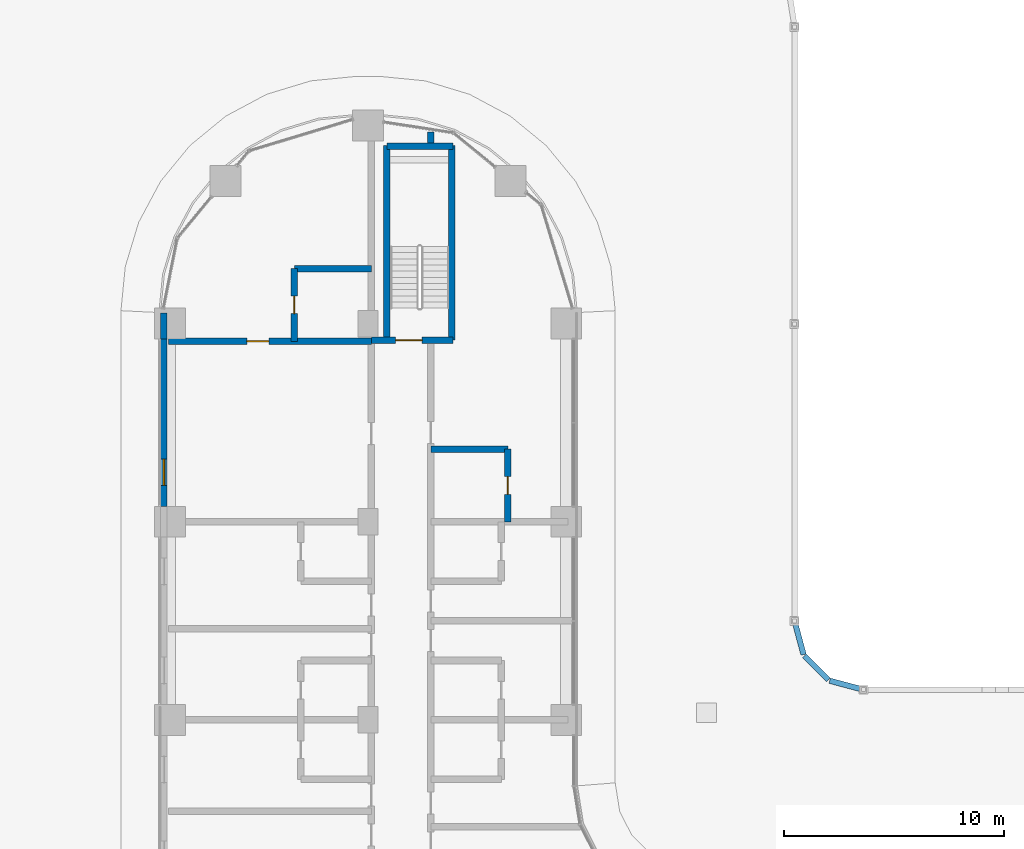
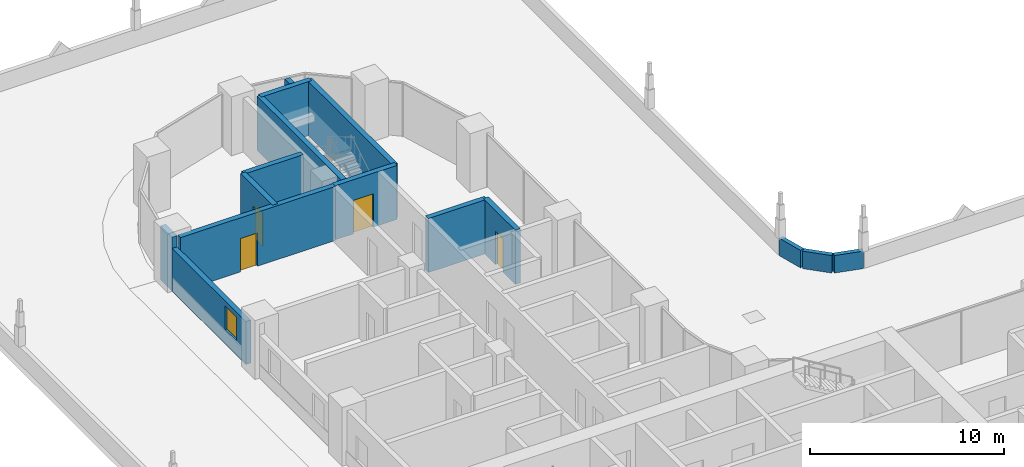
# One storey, part 27 of 51: 15 walls, 4 doors, 1 window, 5 openings.
"""IFC4 building model written with IfcOpenShell, lengths in metres."""

import ifcopenshell
import ifcopenshell.guid

model = None  # the IFC model being written
_history = None  # IfcOwnerHistory: only IFC2X3 demands one
_inside = {}  # id of a spatial element -> (the spatial element, [elements in it])
_under = {}  # id of a project, library or spatial element -> (it, [spatial elements below it])
_declared = {}  # id of a project -> (the project, [libraries it declares])
_typed = {}  # id of a type object -> (the type object, [elements of that type])
_made_of = {}  # id of a material, layer set ... -> (it, [elements and type objects made of it])


def new_model(schema):
    """Start an empty IFC model of exactly this schema.

    Asked for "IFC4X3", IfcOpenShell would pick the latest addendum, in which some entities
    have other attributes; the version numbers below select the first issue.
    IFC2X3 requires an IfcOwnerHistory on every rooted entity: one is made here for all.
    """
    global model, _history
    if schema == "IFC4X3":
        model = ifcopenshell.file(schema_version=(4, 3, 0, 0))
    else:
        model = ifcopenshell.file(schema=schema)
    _inside.clear()
    _under.clear()
    _declared.clear()
    _typed.clear()
    _made_of.clear()
    _history = None
    if model.schema == "IFC2X3":
        org = make("IfcOrganization", Name="unknown")
        user = make(
            "IfcPersonAndOrganization",
            ThePerson=make("IfcPerson", FamilyName="unknown"),
            TheOrganization=org,
        )
        app = make(
            "IfcApplication",
            ApplicationDeveloper=org,
            Version="unknown",
            ApplicationFullName="unknown",
            ApplicationIdentifier="unknown",
        )
        _history = make(
            "IfcOwnerHistory",
            OwningUser=user,
            OwningApplication=app,
            ChangeAction="ADDED",
            CreationDate=0,
        )
    return model


def make(cls, **values):
    """One entity of the class cls with the attributes given. An attribute that is None is left unset."""
    return model.create_entity(
        cls, **{name: value for name, value in values.items() if value is not None}
    )


def rooted(cls, **values):
    """An entity with a GlobalId (a new one), such as an element, a storey or a relation."""
    return make(cls, GlobalId=ifcopenshell.guid.new(), OwnerHistory=_history, **values)


def si_unit(unit_type, name, prefix=None):
    """IfcSIUnit, for example si_unit("LENGTHUNIT", "METRE", prefix="MILLI")."""
    return make("IfcSIUnit", UnitType=unit_type, Prefix=prefix, Name=name)


def assignment(units):
    """IfcUnitAssignment: the units of a project."""
    return None if units is None else make("IfcUnitAssignment", Units=units)


def point(xyz):
    """IfcCartesianPoint."""
    return None if xyz is None else make("IfcCartesianPoint", Coordinates=xyz)


def direction(xyz):
    """IfcDirection."""
    return None if xyz is None else make("IfcDirection", DirectionRatios=xyz)


def frame(location, z_axis=None, x_axis=None):
    """IfcAxis2Placement3D, a coordinate frame: its origin and axes. An axis left out is left unset."""
    return make(
        "IfcAxis2Placement3D",
        Location=point(location),
        Axis=direction(z_axis),
        RefDirection=direction(x_axis),
    )


def frame_2d(location, x_axis=None):
    """IfcAxis2Placement2D, a coordinate frame in the plane: its origin and x axis."""
    return make(
        "IfcAxis2Placement2D", Location=point(location), RefDirection=direction(x_axis)
    )


def origin():
    """The frame at (0, 0, 0) with its axes left unset."""
    return frame((0.0, 0.0, 0.0))


def place(relative_to, where):
    """IfcLocalPlacement: puts the frame where relative to a parent placement (None: the world)."""
    return make(
        "IfcLocalPlacement", PlacementRelTo=relative_to, RelativePlacement=where
    )


def context(
    kind, dimensions, precision=None, world=None, true_north=None, identifier=None
):
    """IfcGeometricRepresentationContext, for example the 3D "Model" context."""
    return make(
        "IfcGeometricRepresentationContext",
        ContextIdentifier=identifier,
        ContextType=kind,
        CoordinateSpaceDimension=dimensions,
        Precision=precision,
        WorldCoordinateSystem=world,
        TrueNorth=true_north,
    )


def subcontext(parent, identifier, kind, view, scale=None):
    """IfcGeometricRepresentationSubContext, for example "Body" below "Model"."""
    return make(
        "IfcGeometricRepresentationSubContext",
        ContextIdentifier=identifier,
        ContextType=kind,
        ParentContext=parent,
        TargetScale=scale,
        TargetView=view,
    )


def project(units=None, contexts=None):
    """IfcProject with its units and contexts."""
    return rooted(
        "IfcProject",
        Name="project",
        RepresentationContexts=contexts,
        UnitsInContext=assignment(units),
    )


def spatial(cls, under=None, at=None, **own):
    """A site, building, storey or space (cls), placed at a placement, below another one or the project."""
    s = rooted(cls, ObjectPlacement=at, **own)
    if under is not None:
        _under.setdefault(under.id(), (under, []))[1].append(s)
    return s


def profile(cls, at=None, kind="AREA", **sizes):
    """A parametric profile (cls). Its sizes go by their IFC names, for example OverallWidth=200.0."""
    return make(cls, ProfileType=kind, Position=at, **sizes)


def rectangle(**sizes):
    """IfcRectangleProfileDef."""
    return profile("IfcRectangleProfileDef", **sizes)


def extrude(swept, where, along, depth):
    """IfcExtrudedAreaSolid: the profile swept, set in the frame where, extruded along a direction by depth."""
    return make(
        "IfcExtrudedAreaSolid",
        SweptArea=swept,
        Position=where,
        ExtrudedDirection=direction(along),
        Depth=depth,
    )


def shape(context_of_items, identifier, shape_type, items):
    """IfcShapeRepresentation: the items that make up one representation, for example the "Body"."""
    return make(
        "IfcShapeRepresentation",
        ContextOfItems=context_of_items,
        RepresentationIdentifier=identifier,
        RepresentationType=shape_type,
        Items=items,
    )


def material(Name=None, Category=None):
    """IfcMaterial."""
    return make("IfcMaterial", Name=Name, Category=Category)


def layer(
    of_material, thickness, ventilated=None, Name=None, Category=None, Priority=None
):
    """IfcMaterialLayer: one layer of a wall or slab, of a material (None: an air gap)."""
    return make(
        "IfcMaterialLayer",
        Material=of_material,
        LayerThickness=thickness,
        IsVentilated=ventilated,
        Name=Name,
        Category=Category,
        Priority=Priority,
    )


def layer_set(layers, Name=None):
    """IfcMaterialLayerSet."""
    return make("IfcMaterialLayerSet", MaterialLayers=layers, LayerSetName=Name)


def made_of(thing, what):
    """Note that an element or type object is made of a material, layer set ...; save() writes the relation."""
    if what is not None:
        _made_of.setdefault(what.id(), (what, []))[1].append(thing)
    return thing


def type_object(cls, material=None, **own):
    """A type object (cls), such as IfcWallType, which elements share."""
    return made_of(rooted(cls, **own), material)


def element(
    cls,
    number,
    at=None,
    inside=None,
    cuts=None,
    type_object=None,
    material=None,
    context=None,
    identifier="Body",
    shape_type=None,
    held_by="IfcProductDefinitionShape",
    body=None,
    shapes=None,
    **own,
):
    """One element of the class cls, such as IfcWall. Its Tag is "e" and its number.

    at: its placement. inside: the storey or other place that contains it. cuts: it is an
    opening in that element (IfcRelVoidsElement). A single representation is given by context,
    identifier, shape_type and body (its items); several are given by shapes. held_by: the class
    of the entity that holds the representations. save() writes the other relations.
    """
    e = rooted(cls, Tag="e%d" % number, ObjectPlacement=at, **own)
    if body is not None:
        shapes = [shape(context, identifier, shape_type, body)]
    if shapes is not None:
        e.Representation = make(held_by, Representations=shapes)
    if inside is not None:
        _inside.setdefault(inside.id(), (inside, []))[1].append(e)
    if cuts is not None:
        rooted(
            "IfcRelVoidsElement", RelatingBuildingElement=cuts, RelatedOpeningElement=e
        )
    if type_object is not None:
        _typed.setdefault(type_object.id(), (type_object, []))[1].append(e)
    return made_of(e, material)


def fill(opening, filler):
    """IfcRelFillsElement: the door or window that sits in an opening."""
    return rooted(
        "IfcRelFillsElement",
        RelatingOpeningElement=opening,
        RelatedBuildingElement=filler,
    )


def aggregate(whole, parts):
    """IfcRelAggregates: a whole, such as a stair, and the parts it consists of."""
    return rooted("IfcRelAggregates", RelatingObject=whole, RelatedObjects=parts)


def save(model, path):
    """Write the relations noted so far, then the file.

    IfcRelAggregates (storeys below a building ...), IfcRelContainedInSpatialStructure (elements
    in a storey), IfcRelDefinesByType, IfcRelAssociatesMaterial and IfcRelDeclares: one each for
    every whole, place, type object, material and project.
    """
    for whole, parts in _under.values():
        aggregate(whole, parts)
    for where, things in _inside.values():
        rooted(
            "IfcRelContainedInSpatialStructure",
            RelatedElements=things,
            RelatingStructure=where,
        )
    for kind, things in _typed.values():
        rooted("IfcRelDefinesByType", RelatedObjects=things, RelatingType=kind)
    for what, things in _made_of.values():
        rooted("IfcRelAssociatesMaterial", RelatedObjects=things, RelatingMaterial=what)
    for by, libraries in _declared.values():
        rooted("IfcRelDeclares", RelatingContext=by, RelatedDefinitions=libraries)
    model.write(path)


model = new_model("IFC4")

# Units and contexts
model_context = context("Model", 3, precision=1e-05, world=origin(), true_north=direction((0.0, 1.0)))
body_context = subcontext(model_context, "Body", "Model", "MODEL_VIEW")
ifc_project = project(units=[si_unit("LENGTHUNIT", "METRE"), si_unit("AREAUNIT", "SQUARE_METRE"), si_unit("VOLUMEUNIT", "CUBIC_METRE"), si_unit("PLANEANGLEUNIT", "RADIAN"), si_unit("MASSUNIT", "GRAM", prefix="KILO")], contexts=[model_context])

# Site, building, storey
site_placement = place(None, origin())
site = spatial("IfcSite", under=ifc_project, at=site_placement, CompositionType="ELEMENT")
building_placement = place(site_placement, origin())
building = spatial("IfcBuilding", under=site, at=building_placement, Name="Ogive Portal Towers", CompositionType="ELEMENT")
storey_placement = place(building_placement, frame((0.0, 0.0, 33.5)))
storey = spatial("IfcBuildingStorey", under=building, at=storey_placement, Name="L06", CompositionType="ELEMENT", Elevation=33.5)

# Wall
ifc_material_1 = material(Name="Limestone cladding on lightweight block wall", Category="masonry")
ifc_layer_1 = layer(ifc_material_1, 0.300048828125)
ifc_layer_set_1 = layer_set([ifc_layer_1], Name="EXTERNAL WALL 300 STONE")
wall_type_1 = type_object("IfcWallType", Name="EXTERNAL WALL 300 STONE", PredefinedType="SOLIDWALL", material=ifc_layer_set_1)
wall_1_placement = place(storey_placement, frame((31.22509765625, 66.9921875, 0.0), z_axis=(0.0, 0.0, 1.0), x_axis=(0.0, -1.0, 0.0)))
element("IfcWall", 1, at=wall_1_placement, inside=storey, type_object=wall_type_1, Name="A:L06:f13:r0:wall", PredefinedType="SOLIDWALL", context=body_context, shape_type="SweptSolid", body=[
    extrude(rectangle(XDim=1.192138671875, YDim=0.300048828125, at=frame_2d((0.59619140625, 0.0))), origin(), (0.0, 0.0, 1.0), 3.39990234375),
])

# Wall, opening, window
wall_2_placement = place(storey_placement, frame((31.22509765625, 65.800048828125, 0.0), z_axis=(0.0, 0.0, 1.0), x_axis=(0.0, -1.0, 0.0)))
wall_2 = element("IfcWall", 2, at=wall_2_placement, inside=storey, type_object=wall_type_1, Name="A:L06:f13:r0:wall1", PredefinedType="SOLIDWALL", context=body_context, shape_type="SweptSolid", body=[
    extrude(rectangle(XDim=7.60009765625, YDim=0.300048828125, at=frame_2d((3.800048828125, 0.0))), origin(), (0.0, 0.0, 1.0), 2.699951171875),
])
opening_1_placement = place(wall_2_placement, frame((5.449951171875, 0.0, 0.89990234375)))
opening_1 = element("IfcOpeningElement", 3, at=opening_1_placement, cuts=wall_2, Name="Opening WN9", PredefinedType="OPENING", context=body_context, shape_type="SweptSolid", body=[
    extrude(rectangle(XDim=1.199951171875, YDim=1.5, at=frame_2d((0.60009765625, 0.75))), frame((0.0, 0.16015625, 0.0), z_axis=(0.0, -1.0, 0.0), x_axis=(1.0, 0.0, 0.0)), (0.0, 0.0, 1.0), 0.320068359375),
])
ifc_material_2 = material(Name="Glass, clear low-iron insulated glazing", Category="glass")
window_type = type_object("IfcWindowType", Name="WINDOW HOTEL CASEMENT 1200x1500", PartitioningType="DOUBLE_PANEL_VERTICAL", PredefinedType="WINDOW", material=ifc_material_2)
window_placement = place(opening_1_placement, origin())
window = element("IfcWindow", 4, at=window_placement, inside=storey, type_object=window_type, Name="A:L06:f13:r0:w1", OverallHeight=1.5, OverallWidth=1.199951171875, PartitioningType="SINGLE_PANEL", PredefinedType="WINDOW", context=body_context, shape_type="SweptSolid", body=[
    extrude(rectangle(XDim=1.199951171875, YDim=1.5, at=frame_2d((0.60009765625, 0.75))), frame((0.0, 0.030029296875, 0.0), z_axis=(0.0, -1.0, 0.0), x_axis=(1.0, 0.0, 0.0)), (0.0, 0.0, 1.0), 0.06005859375),
])
fill(opening_1, window)

# Walls
ifc_layer_2 = layer(ifc_material_1, 0.25)
ifc_layer_set_2 = layer_set([ifc_layer_2], Name="PARAPET 250 STONE")
wall_type_2 = type_object("IfcWallType", Name="PARAPET 250 STONE", PredefinedType="PARAPET", material=ifc_layer_set_2)
for number, where, z_axis, x_axis, name in (
    (5, (62.967529296875, 49.879150390625, 0.0), (0.0, 0.0, 1.0), (-0.965897516379, 0.258924676022, 0.0), "A:L06:proof0:para19"),
    (6, (61.41162109375, 50.3134765625, 0.0), (0.0, 0.0, 1.0), (-0.707106781187, 0.707106781187, 0.0), "A:L06:proof0:para20"),
    (7, (60.28125, 51.467529296875, 0.0), (0.0, 0.0, 1.0), (-0.258924676022, 0.965897516379, 0.0), "A:L06:proof0:para21"),
):
    element("IfcWall", number, at=place(storey_placement, frame(where, z_axis=z_axis, x_axis=x_axis)), inside=storey, type_object=wall_type_2, Name=name, PredefinedType="PARAPET", context=body_context, shape_type="SweptSolid", body=[
        extrude(rectangle(XDim=1.552978515625, YDim=0.25, at=frame_2d((0.7763671875, 0.0))), origin(), (0.0, 0.0, 1.0), 1.10009765625),
    ])

# Wall, opening, door
ifc_material_3 = material(Name="Concrete C50/60", Category="concrete")
ifc_layer_3 = layer(ifc_material_3, 0.300048828125)
ifc_layer_set_3 = layer_set([ifc_layer_3], Name="STAIR WALL 300 C50")
wall_type_3 = type_object("IfcWallType", Name="STAIR WALL 300 C50", PredefinedType="SHEAR", material=ifc_layer_set_3)
wall_3_placement = place(storey_placement, frame((40.64990234375, 65.75, 0.0), z_axis=(0.0, 0.0, 1.0), x_axis=(1.0, 0.0, 0.0)))
wall_3 = element("IfcWall", 8, at=wall_3_placement, inside=storey, type_object=wall_type_3, Name="Stair wall ST-A3 L06", PredefinedType="SHEAR", context=body_context, shape_type="SweptSolid", body=[
    extrude(rectangle(XDim=3.7001953125, YDim=0.300048828125, at=frame_2d((1.85009765625, 0.0))), origin(), (0.0, 0.0, 1.0), 3.39990234375),
])
opening_2_placement = place(wall_3_placement, frame((1.10009765625, 0.0, 0.0)))
opening_2 = element("IfcOpeningElement", 9, at=opening_2_placement, cuts=wall_3, Name="Opening D01-071", PredefinedType="OPENING", context=body_context, shape_type="SweptSolid", body=[
    extrude(rectangle(XDim=1.199951171875, YDim=2.10009765625, at=frame_2d((0.60009765625, 1.050048828125))), frame((0.0, 0.16015625, 0.0), z_axis=(0.0, -1.0, 0.0), x_axis=(1.0, 0.0, 0.0)), (0.0, 0.0, 1.0), 0.320068359375),
])
ifc_material_4 = material(Name="Steel fire door", Category="steel")
door_type_1 = type_object("IfcDoorType", Name="DT-STAIR-1200x2100-FD90S", OperationType="SINGLE_SWING_LEFT", PredefinedType="DOOR", material=ifc_material_4)
door_1_placement = place(opening_2_placement, origin())
door_1 = element("IfcDoor", 10, at=door_1_placement, inside=storey, type_object=door_type_1, Name="Door D01-071", OperationType="SINGLE_SWING_RIGHT", OverallHeight=2.10009765625, OverallWidth=1.199951171875, PredefinedType="DOOR", context=body_context, shape_type="SweptSolid", body=[
    extrude(rectangle(XDim=1.199951171875, YDim=2.10009765625, at=frame_2d((0.60009765625, 1.050048828125))), frame((0.0, 0.02490234375, 0.0), z_axis=(0.0, -1.0, 0.0), x_axis=(1.0, 0.0, 0.0)), (0.0, 0.0, 1.0), 0.050048828125),
])
fill(opening_2, door_1)

# Walls
wall_4_placement = place(storey_placement, frame((41.35009765625, 74.550048828125, 0.0), z_axis=(0.0, 0.0, 1.0), x_axis=(1.0, 0.0, 0.0)))
element("IfcWall", 11, at=wall_4_placement, inside=storey, type_object=wall_type_3, Name="Stair wall ST-A3 L06", PredefinedType="SHEAR", context=body_context, shape_type="SweptSolid", body=[
    extrude(rectangle(XDim=3.0, YDim=0.300048828125, at=frame_2d((1.5, 0.0))), origin(), (0.0, 0.0, 1.0), 3.39990234375),
])
for number, where, z_axis, x_axis, name in (
    (12, (41.35009765625, 65.75, 0.0), (0.0, 0.0, 1.0), (0.0, 1.0, 0.0), "Stair wall ST-A3 L06"),
    (13, (44.300048828125, 65.75, 0.0), (0.0, 0.0, 1.0), (0.0, 1.0, 0.0), "Stair wall ST-A3 L06"),
):
    element("IfcWall", number, at=place(storey_placement, frame(where, z_axis=z_axis, x_axis=x_axis)), inside=storey, type_object=wall_type_3, Name=name, PredefinedType="SHEAR", context=body_context, shape_type="SweptSolid", body=[
        extrude(rectangle(XDim=8.85009765625, YDim=0.300048828125, at=frame_2d((4.425048828125, 0.0))), origin(), (0.0, 0.0, 1.0), 3.39990234375),
    ])
ifc_material_5 = material(Name="Gypsum board partition on steel studs", Category="steel")
ifc_layer_4 = layer(ifc_material_5, 0.300048828125)
ifc_layer_set_4 = layer_set([ifc_layer_4], Name="WT-PART-300-EI 60")
wall_type_4 = type_object("IfcWallType", Name="WT-PART-300-EI 60", PredefinedType="PARTITIONING", material=ifc_layer_set_4)
wall_5_placement = place(storey_placement, frame((43.35009765625, 60.800048828125, 0.0), z_axis=(0.0, 0.0, 1.0), x_axis=(1.0, 0.0, 0.0)))
element("IfcWall", 14, at=wall_5_placement, inside=storey, type_object=wall_type_4, Name="Wall L06:w030", PredefinedType="PARTITIONING", context=body_context, shape_type="SweptSolid", body=[
    extrude(rectangle(XDim=3.5, YDim=0.300048828125, at=frame_2d((1.75, 0.0))), origin(), (0.0, 0.0, 1.0), 3.39990234375),
])

# Wall, opening, door
wall_6_placement = place(storey_placement, frame((31.425048828125, 65.699951171875, 0.0), z_axis=(0.0, 0.0, 1.0), x_axis=(1.0, 0.0, 0.0)))
wall_6 = element("IfcWall", 15, at=wall_6_placement, inside=storey, type_object=wall_type_4, Name="Wall L06:w031", PredefinedType="PARTITIONING", context=body_context, shape_type="SweptSolid", body=[
    extrude(rectangle(XDim=9.224853515625, YDim=0.300048828125, at=frame_2d((4.6123046875, 0.0))), origin(), (0.0, 0.0, 1.0), 3.39990234375),
])
opening_3_placement = place(wall_6_placement, frame((3.574951171875, 0.0, 0.0)))
opening_3 = element("IfcOpeningElement", 16, at=opening_3_placement, cuts=wall_6, Name="Opening D01-065", PredefinedType="OPENING", context=body_context, shape_type="SweptSolid", body=[
    extrude(rectangle(XDim=1.0, YDim=2.10009765625, at=frame_2d((0.5, 1.050048828125))), frame((0.0, 0.16015625, 0.0), z_axis=(0.0, -1.0, 0.0), x_axis=(1.0, 0.0, 0.0)), (0.0, 0.0, 1.0), 0.320068359375),
])
door_type_2 = type_object("IfcDoorType", Name="DT-ENTRY-1000x2100-FD60S", OperationType="SINGLE_SWING_LEFT", PredefinedType="DOOR", material=ifc_material_4)
door_2_placement = place(opening_3_placement, origin())
door_2 = element("IfcDoor", 17, at=door_2_placement, inside=storey, type_object=door_type_2, Name="Door D01-065", OperationType="SINGLE_SWING_RIGHT", OverallHeight=2.10009765625, OverallWidth=1.0, PredefinedType="DOOR", context=body_context, shape_type="SweptSolid", body=[
    extrude(rectangle(XDim=1.0, YDim=2.10009765625, at=frame_2d((0.5, 1.050048828125))), frame((0.0, 0.02490234375, 0.0), z_axis=(0.0, -1.0, 0.0), x_axis=(1.0, 0.0, 0.0)), (0.0, 0.0, 1.0), 0.050048828125),
])
fill(opening_3, door_2)

# Wall
wall_7_placement = place(storey_placement, frame((37.14990234375, 69.0, 0.0), z_axis=(0.0, 0.0, 1.0), x_axis=(1.0, 0.0, 0.0)))
element("IfcWall", 18, at=wall_7_placement, inside=storey, type_object=wall_type_4, Name="Wall L06:w033", PredefinedType="PARTITIONING", context=body_context, shape_type="SweptSolid", body=[
    extrude(rectangle(XDim=3.5, YDim=0.300048828125, at=frame_2d((1.75, 0.0))), origin(), (0.0, 0.0, 1.0), 3.39990234375),
])

# Wall, opening, door
wall_8_placement = place(storey_placement, frame((37.14990234375, 65.699951171875, 0.0), z_axis=(0.0, 0.0, 1.0), x_axis=(0.0, 1.0, 0.0)))
wall_8 = element("IfcWall", 19, at=wall_8_placement, inside=storey, type_object=wall_type_4, Name="Wall L06:w035", PredefinedType="PARTITIONING", context=body_context, shape_type="SweptSolid", body=[
    extrude(rectangle(XDim=3.300048828125, YDim=0.300048828125, at=frame_2d((1.64990234375, 0.0))), origin(), (0.0, 0.0, 1.0), 3.39990234375),
])
opening_4_placement = place(wall_8_placement, frame((1.25, 0.0, 0.0)))
opening_4 = element("IfcOpeningElement", 20, at=opening_4_placement, cuts=wall_8, Name="Opening D01-066", PredefinedType="OPENING", context=body_context, shape_type="SweptSolid", body=[
    extrude(rectangle(XDim=0.800048828125, YDim=2.10009765625, at=frame_2d((0.39990234375, 1.050048828125))), frame((0.0, 0.16015625, 0.0), z_axis=(0.0, -1.0, 0.0), x_axis=(1.0, 0.0, 0.0)), (0.0, 0.0, 1.0), 0.320068359375),
])
door_type_3 = type_object("IfcDoorType", Name="DT-BATH-800x2100-FD60S", OperationType="SINGLE_SWING_LEFT", PredefinedType="DOOR", material=ifc_material_4)
door_3_placement = place(opening_4_placement, origin())
door_3 = element("IfcDoor", 21, at=door_3_placement, inside=storey, type_object=door_type_3, Name="Door D01-066", OperationType="SINGLE_SWING_LEFT", OverallHeight=2.10009765625, OverallWidth=0.800048828125, PredefinedType="DOOR", context=body_context, shape_type="SweptSolid", body=[
    extrude(rectangle(XDim=0.800048828125, YDim=2.10009765625, at=frame_2d((0.39990234375, 1.050048828125))), frame((0.0, 0.02490234375, 0.0), z_axis=(0.0, -1.0, 0.0), x_axis=(1.0, 0.0, 0.0)), (0.0, 0.0, 1.0), 0.050048828125),
])
fill(opening_4, door_3)

wall_9_placement = place(storey_placement, frame((46.85009765625, 57.5, 0.0), z_axis=(0.0, 0.0, 1.0), x_axis=(0.0, 1.0, 0.0)))
wall_9 = element("IfcWall", 22, at=wall_9_placement, inside=storey, type_object=wall_type_4, Name="Wall L06:w047", PredefinedType="PARTITIONING", context=body_context, shape_type="SweptSolid", body=[
    extrude(rectangle(XDim=3.300048828125, YDim=0.300048828125, at=frame_2d((1.64990234375, 0.0))), origin(), (0.0, 0.0, 1.0), 3.39990234375),
])
opening_5_placement = place(wall_9_placement, frame((1.25, 0.0, 0.0)))
opening_5 = element("IfcOpeningElement", 23, at=opening_5_placement, cuts=wall_9, Name="Opening D01-062", PredefinedType="OPENING", context=body_context, shape_type="SweptSolid", body=[
    extrude(rectangle(XDim=0.800048828125, YDim=2.10009765625, at=frame_2d((0.39990234375, 1.050048828125))), frame((0.0, 0.16015625, 0.0), z_axis=(0.0, -1.0, 0.0), x_axis=(1.0, 0.0, 0.0)), (0.0, 0.0, 1.0), 0.320068359375),
])
door_4_placement = place(opening_5_placement, origin())
door_4 = element("IfcDoor", 24, at=door_4_placement, inside=storey, type_object=door_type_3, Name="Door D01-062", OperationType="SINGLE_SWING_LEFT", OverallHeight=2.10009765625, OverallWidth=0.800048828125, PredefinedType="DOOR", context=body_context, shape_type="SweptSolid", body=[
    extrude(rectangle(XDim=0.800048828125, YDim=2.10009765625, at=frame_2d((0.39990234375, 1.050048828125))), frame((0.0, 0.02490234375, 0.0), z_axis=(0.0, -1.0, 0.0), x_axis=(1.0, 0.0, 0.0)), (0.0, 0.0, 1.0), 0.050048828125),
])
fill(opening_5, door_4)

# Wall
ifc_material_6 = material(Name="Concrete C40/50", Category="concrete")
ifc_layer_5 = layer(ifc_material_6, 0.300048828125)
ifc_layer_set_5 = layer_set([ifc_layer_5], Name="WT-SHAFT-300")
wall_type_5 = type_object("IfcWallType", Name="WT-SHAFT-300", PredefinedType="SOLIDWALL", material=ifc_layer_set_5)
wall_10_placement = place(storey_placement, frame((43.35009765625, 74.698974609375, 0.0), z_axis=(0.0, 0.0, 1.0), x_axis=(0.0, 1.0, 0.0)))
element("IfcWall", 25, at=wall_10_placement, inside=storey, type_object=wall_type_5, Name="Wall L06:w042", PredefinedType="SOLIDWALL", context=body_context, shape_type="SweptSolid", body=[
    extrude(rectangle(XDim=0.50390625, YDim=0.300048828125, at=frame_2d((0.251953125, 0.0))), origin(), (0.0, 0.0, 1.0), 3.39990234375),
])

save(model, "model.ifc")
